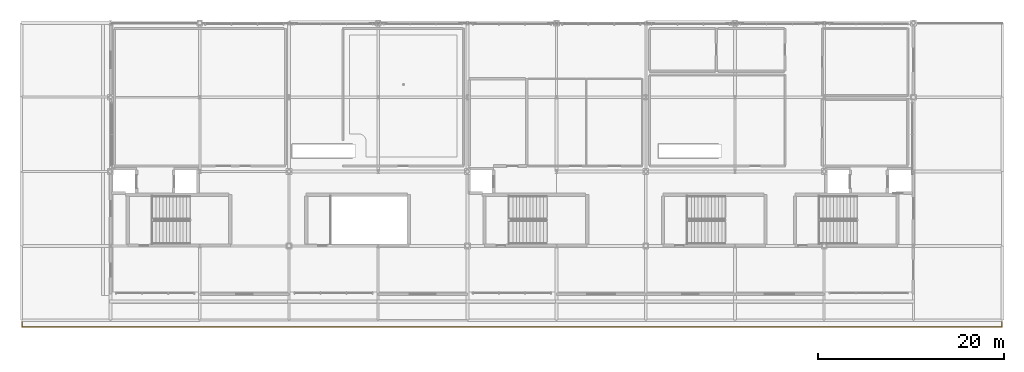
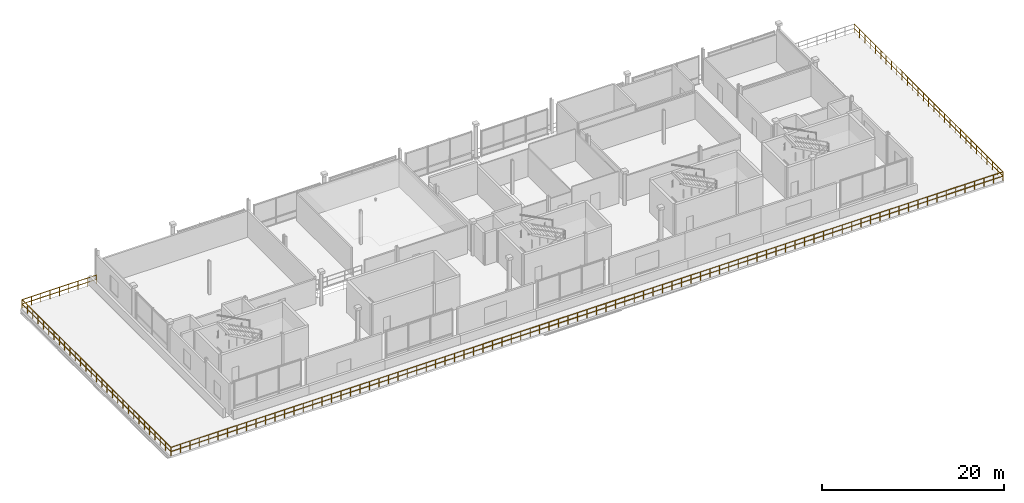
# One storey, part 23 of 26: 1 railing.
"""IFC4 building model written with IfcOpenShell, lengths in metres."""

from ifc_helpers import new_model, si_unit, direction, frame, origin, origin_2d, place, context, subcontext, project, spatial, circle, extrude, material, type_object, element, save


model = new_model("IFC4")

# Units and contexts
model_context = context("Model", 3, precision=1e-05, world=origin(), true_north=direction((0.0, 1.0)))
body_context = subcontext(model_context, "Body", "Model", "MODEL_VIEW")
ifc_project = project(units=[si_unit("LENGTHUNIT", "METRE"), si_unit("AREAUNIT", "SQUARE_METRE"), si_unit("VOLUMEUNIT", "CUBIC_METRE"), si_unit("PLANEANGLEUNIT", "RADIAN"), si_unit("MASSUNIT", "GRAM", prefix="KILO")], contexts=[model_context])

# Site, building, storey
site_placement = place(None, origin())
site = spatial("IfcSite", under=ifc_project, at=site_placement, CompositionType="ELEMENT")
building_placement = place(site_placement, origin())
building = spatial("IfcBuilding", under=site, at=building_placement, Name="Danafjord Basin Convention Centre", CompositionType="ELEMENT")
storey_placement = place(building_placement, frame((0.0, 0.0, 24.89990234375)))
storey = spatial("IfcBuildingStorey", under=building, at=storey_placement, Name="L05", CompositionType="ELEMENT", Elevation=24.89990234375)

# Railing
ifc_material = material(Name="Laminated structural glass and stainless steel", Category="steel")
railing_type = type_object("IfcRailingType", Name="RL-BAL-GLS", PredefinedType="BALUSTRADE", material=ifc_material)
railing_placement = place(storey_placement, frame((105.52001953125, 39.919921875, 0.0)))
element("IfcRailing", 1, at=railing_placement, inside=storey, type_object=railing_type, Name="L05 safety guard balustrade 308", PredefinedType="BALUSTRADE", context=body_context, shape_type="SweptSolid", body=[
    extrude(circle(Radius=0.02392578125, at=origin_2d()), frame((0.0, 0.0, 1.1259765625), z_axis=(0.0, -1.0, 0.0), x_axis=(1.0, 0.0, 0.0)), (0.0, 0.0, 1.0), 32.639892578125),
    extrude(circle(Radius=0.02392578125, at=origin_2d()), frame((0.0, 0.0, 0.55078125), z_axis=(0.0, -1.0, 0.0), x_axis=(1.0, 0.0, 0.0)), (0.0, 0.0, 1.0), 32.639892578125),
    extrude(circle(Radius=0.02392578125, at=origin_2d()), frame((0.0, -32.639892578125, 1.1259765625), z_axis=(-1.0, 0.0, 0.0), x_axis=(0.0, -1.0, 0.0)), (0.0, 0.0, 1.0), 105.43994140625),
    extrude(circle(Radius=0.02392578125, at=origin_2d()), frame((0.0, -32.639892578125, 0.55078125), z_axis=(-1.0, 0.0, 0.0), x_axis=(0.0, -1.0, 0.0)), (0.0, 0.0, 1.0), 105.43994140625),
    extrude(circle(Radius=0.02392578125, at=origin_2d()), frame((-105.43994140625, -32.639892578125, 1.1259765625), z_axis=(0.0, 1.0, 0.0), x_axis=(-1.0, 0.0, 0.0)), (0.0, 0.0, 1.0), 32.639892578125),
    extrude(circle(Radius=0.02392578125, at=origin_2d()), frame((-105.43994140625, -32.639892578125, 0.55078125), z_axis=(0.0, 1.0, 0.0), x_axis=(-1.0, 0.0, 0.0)), (0.0, 0.0, 1.0), 32.639892578125),
    extrude(circle(Radius=0.02392578125, at=origin_2d()), frame((-105.43994140625, 0.0, 1.1259765625), z_axis=(1.0, 0.0, 0.0), x_axis=(0.0, 1.0, 0.0)), (0.0, 0.0, 1.0), 9.429931640625),
    extrude(circle(Radius=0.02392578125, at=origin_2d()), frame((-105.43994140625, 0.0, 0.55078125), z_axis=(1.0, 0.0, 0.0), x_axis=(0.0, 1.0, 0.0)), (0.0, 0.0, 1.0), 9.429931640625),
    extrude(circle(Radius=0.02099609375, at=origin_2d()), origin(), (0.0, 0.0, 1.0), 1.099853515625),
    extrude(circle(Radius=0.02099609375, at=origin_2d()), frame((0.0, -1.165771484375, 0.0)), (0.0, 0.0, 1.0), 1.099853515625),
    extrude(circle(Radius=0.02099609375, at=origin_2d()), frame((0.0, -2.33154296875, 0.0)), (0.0, 0.0, 1.0), 1.099853515625),
    extrude(circle(Radius=0.02099609375, at=origin_2d()), frame((0.0, -3.4970703125, 0.0)), (0.0, 0.0, 1.0), 1.099853515625),
    extrude(circle(Radius=0.02099609375, at=origin_2d()), frame((0.0, -4.662841796875, 0.0)), (0.0, 0.0, 1.0), 1.099853515625),
    extrude(circle(Radius=0.02099609375, at=origin_2d()), frame((0.0, -5.82861328125, 0.0)), (0.0, 0.0, 1.0), 1.099853515625),
    extrude(circle(Radius=0.02099609375, at=origin_2d()), frame((0.0, -6.994140625, 0.0)), (0.0, 0.0, 1.0), 1.099853515625),
    extrude(circle(Radius=0.02099609375, at=origin_2d()), frame((0.0, -8.159912109375, 0.0)), (0.0, 0.0, 1.0), 1.099853515625),
    extrude(circle(Radius=0.02099609375, at=origin_2d()), frame((0.0, -9.32568359375, 0.0)), (0.0, 0.0, 1.0), 1.099853515625),
    extrude(circle(Radius=0.02099609375, at=origin_2d()), frame((0.0, -10.491455078125, 0.0)), (0.0, 0.0, 1.0), 1.099853515625),
    extrude(circle(Radius=0.02099609375, at=origin_2d()), frame((0.0, -11.6572265625, 0.0)), (0.0, 0.0, 1.0), 1.099853515625),
    extrude(circle(Radius=0.02099609375, at=origin_2d()), frame((0.0, -12.82275390625, 0.0)), (0.0, 0.0, 1.0), 1.099853515625),
    extrude(circle(Radius=0.02099609375, at=origin_2d()), frame((0.0, -13.988525390625, 0.0)), (0.0, 0.0, 1.0), 1.099853515625),
    extrude(circle(Radius=0.02099609375, at=origin_2d()), frame((0.0, -15.154296875, 0.0)), (0.0, 0.0, 1.0), 1.099853515625),
    extrude(circle(Radius=0.02099609375, at=origin_2d()), frame((0.0, -16.31982421875, 0.0)), (0.0, 0.0, 1.0), 1.099853515625),
    extrude(circle(Radius=0.02099609375, at=origin_2d()), frame((0.0, -17.485595703125, 0.0)), (0.0, 0.0, 1.0), 1.099853515625),
    extrude(circle(Radius=0.02099609375, at=origin_2d()), frame((0.0, -18.6513671875, 0.0)), (0.0, 0.0, 1.0), 1.099853515625),
    extrude(circle(Radius=0.02099609375, at=origin_2d()), frame((0.0, -19.817138671875, 0.0)), (0.0, 0.0, 1.0), 1.099853515625),
    extrude(circle(Radius=0.02099609375, at=origin_2d()), frame((0.0, -20.98291015625, 0.0)), (0.0, 0.0, 1.0), 1.099853515625),
    extrude(circle(Radius=0.02099609375, at=origin_2d()), frame((0.0, -22.1484375, 0.0)), (0.0, 0.0, 1.0), 1.099853515625),
    extrude(circle(Radius=0.02099609375, at=origin_2d()), frame((0.0, -23.314208984375, 0.0)), (0.0, 0.0, 1.0), 1.099853515625),
    extrude(circle(Radius=0.02099609375, at=origin_2d()), frame((0.0, -24.47998046875, 0.0)), (0.0, 0.0, 1.0), 1.099853515625),
    extrude(circle(Radius=0.02099609375, at=origin_2d()), frame((0.0, -25.6455078125, 0.0)), (0.0, 0.0, 1.0), 1.099853515625),
    extrude(circle(Radius=0.02099609375, at=origin_2d()), frame((0.0, -26.811279296875, 0.0)), (0.0, 0.0, 1.0), 1.099853515625),
    extrude(circle(Radius=0.02099609375, at=origin_2d()), frame((0.0, -27.97705078125, 0.0)), (0.0, 0.0, 1.0), 1.099853515625),
    extrude(circle(Radius=0.02099609375, at=origin_2d()), frame((0.0, -29.142822265625, 0.0)), (0.0, 0.0, 1.0), 1.099853515625),
    extrude(circle(Radius=0.02099609375, at=origin_2d()), frame((0.0, -30.30859375, 0.0)), (0.0, 0.0, 1.0), 1.099853515625),
    extrude(circle(Radius=0.02099609375, at=origin_2d()), frame((0.0, -31.47412109375, 0.0)), (0.0, 0.0, 1.0), 1.099853515625),
    extrude(circle(Radius=0.02099609375, at=origin_2d()), frame((0.0, -32.639892578125, 0.0)), (0.0, 0.0, 1.0), 1.099853515625),
    extrude(circle(Radius=0.02099609375, at=origin_2d()), frame((-1.1982421875, -32.639892578125, 0.0)), (0.0, 0.0, 1.0), 1.099853515625),
    extrude(circle(Radius=0.02099609375, at=origin_2d()), frame((-2.396484375, -32.639892578125, 0.0)), (0.0, 0.0, 1.0), 1.099853515625),
    extrude(circle(Radius=0.02099609375, at=origin_2d()), frame((-3.594482421875, -32.639892578125, 0.0)), (0.0, 0.0, 1.0), 1.099853515625),
    extrude(circle(Radius=0.02099609375, at=origin_2d()), frame((-4.792724609375, -32.639892578125, 0.0)), (0.0, 0.0, 1.0), 1.099853515625),
    extrude(circle(Radius=0.02099609375, at=origin_2d()), frame((-5.990966796875, -32.639892578125, 0.0)), (0.0, 0.0, 1.0), 1.099853515625),
    extrude(circle(Radius=0.02099609375, at=origin_2d()), frame((-7.18896484375, -32.639892578125, 0.0)), (0.0, 0.0, 1.0), 1.099853515625),
    extrude(circle(Radius=0.02099609375, at=origin_2d()), frame((-8.38720703125, -32.639892578125, 0.0)), (0.0, 0.0, 1.0), 1.099853515625),
    extrude(circle(Radius=0.02099609375, at=origin_2d()), frame((-9.58544921875, -32.639892578125, 0.0)), (0.0, 0.0, 1.0), 1.099853515625),
    extrude(circle(Radius=0.02099609375, at=origin_2d()), frame((-10.78369140625, -32.639892578125, 0.0)), (0.0, 0.0, 1.0), 1.099853515625),
    extrude(circle(Radius=0.02099609375, at=origin_2d()), frame((-11.98193359375, -32.639892578125, 0.0)), (0.0, 0.0, 1.0), 1.099853515625),
    extrude(circle(Radius=0.02099609375, at=origin_2d()), frame((-13.179931640625, -32.639892578125, 0.0)), (0.0, 0.0, 1.0), 1.099853515625),
    extrude(circle(Radius=0.02099609375, at=origin_2d()), frame((-14.378173828125, -32.639892578125, 0.0)), (0.0, 0.0, 1.0), 1.099853515625),
    extrude(circle(Radius=0.02099609375, at=origin_2d()), frame((-15.576416015625, -32.639892578125, 0.0)), (0.0, 0.0, 1.0), 1.099853515625),
    extrude(circle(Radius=0.02099609375, at=origin_2d()), frame((-16.7744140625, -32.639892578125, 0.0)), (0.0, 0.0, 1.0), 1.099853515625),
    extrude(circle(Radius=0.02099609375, at=origin_2d()), frame((-17.97265625, -32.639892578125, 0.0)), (0.0, 0.0, 1.0), 1.099853515625),
    extrude(circle(Radius=0.02099609375, at=origin_2d()), frame((-19.1708984375, -32.639892578125, 0.0)), (0.0, 0.0, 1.0), 1.099853515625),
    extrude(circle(Radius=0.02099609375, at=origin_2d()), frame((-20.369140625, -32.639892578125, 0.0)), (0.0, 0.0, 1.0), 1.099853515625),
    extrude(circle(Radius=0.02099609375, at=origin_2d()), frame((-21.5673828125, -32.639892578125, 0.0)), (0.0, 0.0, 1.0), 1.099853515625),
    extrude(circle(Radius=0.02099609375, at=origin_2d()), frame((-22.765380859375, -32.639892578125, 0.0)), (0.0, 0.0, 1.0), 1.099853515625),
    extrude(circle(Radius=0.02099609375, at=origin_2d()), frame((-23.963623046875, -32.639892578125, 0.0)), (0.0, 0.0, 1.0), 1.099853515625),
    extrude(circle(Radius=0.02099609375, at=origin_2d()), frame((-25.161865234375, -32.639892578125, 0.0)), (0.0, 0.0, 1.0), 1.099853515625),
    extrude(circle(Radius=0.02099609375, at=origin_2d()), frame((-26.35986328125, -32.639892578125, 0.0)), (0.0, 0.0, 1.0), 1.099853515625),
    extrude(circle(Radius=0.02099609375, at=origin_2d()), frame((-27.55810546875, -32.639892578125, 0.0)), (0.0, 0.0, 1.0), 1.099853515625),
    extrude(circle(Radius=0.02099609375, at=origin_2d()), frame((-28.75634765625, -32.639892578125, 0.0)), (0.0, 0.0, 1.0), 1.099853515625),
    extrude(circle(Radius=0.02099609375, at=origin_2d()), frame((-29.95458984375, -32.639892578125, 0.0)), (0.0, 0.0, 1.0), 1.099853515625),
    extrude(circle(Radius=0.02099609375, at=origin_2d()), frame((-31.15283203125, -32.639892578125, 0.0)), (0.0, 0.0, 1.0), 1.099853515625),
    extrude(circle(Radius=0.02099609375, at=origin_2d()), frame((-32.350830078125, -32.639892578125, 0.0)), (0.0, 0.0, 1.0), 1.099853515625),
    extrude(circle(Radius=0.02099609375, at=origin_2d()), frame((-33.549072265625, -32.639892578125, 0.0)), (0.0, 0.0, 1.0), 1.099853515625),
    extrude(circle(Radius=0.02099609375, at=origin_2d()), frame((-34.747314453125, -32.639892578125, 0.0)), (0.0, 0.0, 1.0), 1.099853515625),
    extrude(circle(Radius=0.02099609375, at=origin_2d()), frame((-35.9453125, -32.639892578125, 0.0)), (0.0, 0.0, 1.0), 1.099853515625),
    extrude(circle(Radius=0.02099609375, at=origin_2d()), frame((-37.1435546875, -32.639892578125, 0.0)), (0.0, 0.0, 1.0), 1.099853515625),
    extrude(circle(Radius=0.02099609375, at=origin_2d()), frame((-38.341796875, -32.639892578125, 0.0)), (0.0, 0.0, 1.0), 1.099853515625),
    extrude(circle(Radius=0.02099609375, at=origin_2d()), frame((-39.5400390625, -32.639892578125, 0.0)), (0.0, 0.0, 1.0), 1.099853515625),
    extrude(circle(Radius=0.02099609375, at=origin_2d()), frame((-40.73828125, -32.639892578125, 0.0)), (0.0, 0.0, 1.0), 1.099853515625),
    extrude(circle(Radius=0.02099609375, at=origin_2d()), frame((-41.936279296875, -32.639892578125, 0.0)), (0.0, 0.0, 1.0), 1.099853515625),
    extrude(circle(Radius=0.02099609375, at=origin_2d()), frame((-43.134521484375, -32.639892578125, 0.0)), (0.0, 0.0, 1.0), 1.099853515625),
    extrude(circle(Radius=0.02099609375, at=origin_2d()), frame((-44.332763671875, -32.639892578125, 0.0)), (0.0, 0.0, 1.0), 1.099853515625),
    extrude(circle(Radius=0.02099609375, at=origin_2d()), frame((-45.53076171875, -32.639892578125, 0.0)), (0.0, 0.0, 1.0), 1.099853515625),
    extrude(circle(Radius=0.02099609375, at=origin_2d()), frame((-46.72900390625, -32.639892578125, 0.0)), (0.0, 0.0, 1.0), 1.099853515625),
    extrude(circle(Radius=0.02099609375, at=origin_2d()), frame((-47.92724609375, -32.639892578125, 0.0)), (0.0, 0.0, 1.0), 1.099853515625),
    extrude(circle(Radius=0.02099609375, at=origin_2d()), frame((-49.12548828125, -32.639892578125, 0.0)), (0.0, 0.0, 1.0), 1.099853515625),
    extrude(circle(Radius=0.02099609375, at=origin_2d()), frame((-50.32373046875, -32.639892578125, 0.0)), (0.0, 0.0, 1.0), 1.099853515625),
    extrude(circle(Radius=0.02099609375, at=origin_2d()), frame((-51.521728515625, -32.639892578125, 0.0)), (0.0, 0.0, 1.0), 1.099853515625),
    extrude(circle(Radius=0.02099609375, at=origin_2d()), frame((-52.719970703125, -32.639892578125, 0.0)), (0.0, 0.0, 1.0), 1.099853515625),
    extrude(circle(Radius=0.02099609375, at=origin_2d()), frame((-53.918212890625, -32.639892578125, 0.0)), (0.0, 0.0, 1.0), 1.099853515625),
    extrude(circle(Radius=0.02099609375, at=origin_2d()), frame((-55.1162109375, -32.639892578125, 0.0)), (0.0, 0.0, 1.0), 1.099853515625),
    extrude(circle(Radius=0.02099609375, at=origin_2d()), frame((-56.314453125, -32.639892578125, 0.0)), (0.0, 0.0, 1.0), 1.099853515625),
    extrude(circle(Radius=0.02099609375, at=origin_2d()), frame((-57.5126953125, -32.639892578125, 0.0)), (0.0, 0.0, 1.0), 1.099853515625),
    extrude(circle(Radius=0.02099609375, at=origin_2d()), frame((-58.7109375, -32.639892578125, 0.0)), (0.0, 0.0, 1.0), 1.099853515625),
    extrude(circle(Radius=0.02099609375, at=origin_2d()), frame((-59.9091796875, -32.639892578125, 0.0)), (0.0, 0.0, 1.0), 1.099853515625),
    extrude(circle(Radius=0.02099609375, at=origin_2d()), frame((-61.107177734375, -32.639892578125, 0.0)), (0.0, 0.0, 1.0), 1.099853515625),
    extrude(circle(Radius=0.02099609375, at=origin_2d()), frame((-62.305419921875, -32.639892578125, 0.0)), (0.0, 0.0, 1.0), 1.099853515625),
    extrude(circle(Radius=0.02099609375, at=origin_2d()), frame((-63.503662109375, -32.639892578125, 0.0)), (0.0, 0.0, 1.0), 1.099853515625),
    extrude(circle(Radius=0.02099609375, at=origin_2d()), frame((-64.70166015625, -32.639892578125, 0.0)), (0.0, 0.0, 1.0), 1.099853515625),
    extrude(circle(Radius=0.02099609375, at=origin_2d()), frame((-65.89990234375, -32.639892578125, 0.0)), (0.0, 0.0, 1.0), 1.099853515625),
    extrude(circle(Radius=0.02099609375, at=origin_2d()), frame((-67.09814453125, -32.639892578125, 0.0)), (0.0, 0.0, 1.0), 1.099853515625),
    extrude(circle(Radius=0.02099609375, at=origin_2d()), frame((-68.29638671875, -32.639892578125, 0.0)), (0.0, 0.0, 1.0), 1.099853515625),
    extrude(circle(Radius=0.02099609375, at=origin_2d()), frame((-69.49462890625, -32.639892578125, 0.0)), (0.0, 0.0, 1.0), 1.099853515625),
    extrude(circle(Radius=0.02099609375, at=origin_2d()), frame((-70.692626953125, -32.639892578125, 0.0)), (0.0, 0.0, 1.0), 1.099853515625),
    extrude(circle(Radius=0.02099609375, at=origin_2d()), frame((-71.890869140625, -32.639892578125, 0.0)), (0.0, 0.0, 1.0), 1.099853515625),
    extrude(circle(Radius=0.02099609375, at=origin_2d()), frame((-73.089111328125, -32.639892578125, 0.0)), (0.0, 0.0, 1.0), 1.099853515625),
    extrude(circle(Radius=0.02099609375, at=origin_2d()), frame((-74.287109375, -32.639892578125, 0.0)), (0.0, 0.0, 1.0), 1.099853515625),
    extrude(circle(Radius=0.02099609375, at=origin_2d()), frame((-75.4853515625, -32.639892578125, 0.0)), (0.0, 0.0, 1.0), 1.099853515625),
    extrude(circle(Radius=0.02099609375, at=origin_2d()), frame((-76.68359375, -32.639892578125, 0.0)), (0.0, 0.0, 1.0), 1.099853515625),
    extrude(circle(Radius=0.02099609375, at=origin_2d()), frame((-77.8818359375, -32.639892578125, 0.0)), (0.0, 0.0, 1.0), 1.099853515625),
    extrude(circle(Radius=0.02099609375, at=origin_2d()), frame((-79.080078125, -32.639892578125, 0.0)), (0.0, 0.0, 1.0), 1.099853515625),
    extrude(circle(Radius=0.02099609375, at=origin_2d()), frame((-80.278076171875, -32.639892578125, 0.0)), (0.0, 0.0, 1.0), 1.099853515625),
    extrude(circle(Radius=0.02099609375, at=origin_2d()), frame((-81.476318359375, -32.639892578125, 0.0)), (0.0, 0.0, 1.0), 1.099853515625),
    extrude(circle(Radius=0.02099609375, at=origin_2d()), frame((-82.674560546875, -32.639892578125, 0.0)), (0.0, 0.0, 1.0), 1.099853515625),
    extrude(circle(Radius=0.02099609375, at=origin_2d()), frame((-83.87255859375, -32.639892578125, 0.0)), (0.0, 0.0, 1.0), 1.099853515625),
    extrude(circle(Radius=0.02099609375, at=origin_2d()), frame((-85.07080078125, -32.639892578125, 0.0)), (0.0, 0.0, 1.0), 1.099853515625),
    extrude(circle(Radius=0.02099609375, at=origin_2d()), frame((-86.26904296875, -32.639892578125, 0.0)), (0.0, 0.0, 1.0), 1.099853515625),
    extrude(circle(Radius=0.02099609375, at=origin_2d()), frame((-87.46728515625, -32.639892578125, 0.0)), (0.0, 0.0, 1.0), 1.099853515625),
    extrude(circle(Radius=0.02099609375, at=origin_2d()), frame((-88.66552734375, -32.639892578125, 0.0)), (0.0, 0.0, 1.0), 1.099853515625),
    extrude(circle(Radius=0.02099609375, at=origin_2d()), frame((-89.863525390625, -32.639892578125, 0.0)), (0.0, 0.0, 1.0), 1.099853515625),
    extrude(circle(Radius=0.02099609375, at=origin_2d()), frame((-91.061767578125, -32.639892578125, 0.0)), (0.0, 0.0, 1.0), 1.099853515625),
    extrude(circle(Radius=0.02099609375, at=origin_2d()), frame((-92.260009765625, -32.639892578125, 0.0)), (0.0, 0.0, 1.0), 1.099853515625),
    extrude(circle(Radius=0.02099609375, at=origin_2d()), frame((-93.4580078125, -32.639892578125, 0.0)), (0.0, 0.0, 1.0), 1.099853515625),
    extrude(circle(Radius=0.02099609375, at=origin_2d()), frame((-94.65625, -32.639892578125, 0.0)), (0.0, 0.0, 1.0), 1.099853515625),
    extrude(circle(Radius=0.02099609375, at=origin_2d()), frame((-95.8544921875, -32.639892578125, 0.0)), (0.0, 0.0, 1.0), 1.099853515625),
    extrude(circle(Radius=0.02099609375, at=origin_2d()), frame((-97.052734375, -32.639892578125, 0.0)), (0.0, 0.0, 1.0), 1.099853515625),
    extrude(circle(Radius=0.02099609375, at=origin_2d()), frame((-98.2509765625, -32.639892578125, 0.0)), (0.0, 0.0, 1.0), 1.099853515625),
    extrude(circle(Radius=0.02099609375, at=origin_2d()), frame((-99.448974609375, -32.639892578125, 0.0)), (0.0, 0.0, 1.0), 1.099853515625),
    extrude(circle(Radius=0.02099609375, at=origin_2d()), frame((-100.647216796875, -32.639892578125, 0.0)), (0.0, 0.0, 1.0), 1.099853515625),
    extrude(circle(Radius=0.02099609375, at=origin_2d()), frame((-101.845458984375, -32.639892578125, 0.0)), (0.0, 0.0, 1.0), 1.099853515625),
    extrude(circle(Radius=0.02099609375, at=origin_2d()), frame((-103.04345703125, -32.639892578125, 0.0)), (0.0, 0.0, 1.0), 1.099853515625),
    extrude(circle(Radius=0.02099609375, at=origin_2d()), frame((-104.24169921875, -32.639892578125, 0.0)), (0.0, 0.0, 1.0), 1.099853515625),
    extrude(circle(Radius=0.02099609375, at=origin_2d()), frame((-105.43994140625, -32.639892578125, 0.0)), (0.0, 0.0, 1.0), 1.099853515625),
    extrude(circle(Radius=0.02099609375, at=origin_2d()), frame((-105.43994140625, -31.47412109375, 0.0)), (0.0, 0.0, 1.0), 1.099853515625),
    extrude(circle(Radius=0.02099609375, at=origin_2d()), frame((-105.43994140625, -30.30859375, 0.0)), (0.0, 0.0, 1.0), 1.099853515625),
    extrude(circle(Radius=0.02099609375, at=origin_2d()), frame((-105.43994140625, -29.142822265625, 0.0)), (0.0, 0.0, 1.0), 1.099853515625),
    extrude(circle(Radius=0.02099609375, at=origin_2d()), frame((-105.43994140625, -27.97705078125, 0.0)), (0.0, 0.0, 1.0), 1.099853515625),
    extrude(circle(Radius=0.02099609375, at=origin_2d()), frame((-105.43994140625, -26.811279296875, 0.0)), (0.0, 0.0, 1.0), 1.099853515625),
    extrude(circle(Radius=0.02099609375, at=origin_2d()), frame((-105.43994140625, -25.6455078125, 0.0)), (0.0, 0.0, 1.0), 1.099853515625),
    extrude(circle(Radius=0.02099609375, at=origin_2d()), frame((-105.43994140625, -24.47998046875, 0.0)), (0.0, 0.0, 1.0), 1.099853515625),
    extrude(circle(Radius=0.02099609375, at=origin_2d()), frame((-105.43994140625, -23.314208984375, 0.0)), (0.0, 0.0, 1.0), 1.099853515625),
    extrude(circle(Radius=0.02099609375, at=origin_2d()), frame((-105.43994140625, -22.1484375, 0.0)), (0.0, 0.0, 1.0), 1.099853515625),
    extrude(circle(Radius=0.02099609375, at=origin_2d()), frame((-105.43994140625, -20.98291015625, 0.0)), (0.0, 0.0, 1.0), 1.099853515625),
    extrude(circle(Radius=0.02099609375, at=origin_2d()), frame((-105.43994140625, -19.817138671875, 0.0)), (0.0, 0.0, 1.0), 1.099853515625),
    extrude(circle(Radius=0.02099609375, at=origin_2d()), frame((-105.43994140625, -18.6513671875, 0.0)), (0.0, 0.0, 1.0), 1.099853515625),
    extrude(circle(Radius=0.02099609375, at=origin_2d()), frame((-105.43994140625, -17.485595703125, 0.0)), (0.0, 0.0, 1.0), 1.099853515625),
    extrude(circle(Radius=0.02099609375, at=origin_2d()), frame((-105.43994140625, -16.31982421875, 0.0)), (0.0, 0.0, 1.0), 1.099853515625),
    extrude(circle(Radius=0.02099609375, at=origin_2d()), frame((-105.43994140625, -15.154296875, 0.0)), (0.0, 0.0, 1.0), 1.099853515625),
    extrude(circle(Radius=0.02099609375, at=origin_2d()), frame((-105.43994140625, -13.988525390625, 0.0)), (0.0, 0.0, 1.0), 1.099853515625),
    extrude(circle(Radius=0.02099609375, at=origin_2d()), frame((-105.43994140625, -12.82275390625, 0.0)), (0.0, 0.0, 1.0), 1.099853515625),
    extrude(circle(Radius=0.02099609375, at=origin_2d()), frame((-105.43994140625, -11.6572265625, 0.0)), (0.0, 0.0, 1.0), 1.099853515625),
    extrude(circle(Radius=0.02099609375, at=origin_2d()), frame((-105.43994140625, -10.491455078125, 0.0)), (0.0, 0.0, 1.0), 1.099853515625),
    extrude(circle(Radius=0.02099609375, at=origin_2d()), frame((-105.43994140625, -9.32568359375, 0.0)), (0.0, 0.0, 1.0), 1.099853515625),
    extrude(circle(Radius=0.02099609375, at=origin_2d()), frame((-105.43994140625, -8.159912109375, 0.0)), (0.0, 0.0, 1.0), 1.099853515625),
    extrude(circle(Radius=0.02099609375, at=origin_2d()), frame((-105.43994140625, -6.994140625, 0.0)), (0.0, 0.0, 1.0), 1.099853515625),
    extrude(circle(Radius=0.02099609375, at=origin_2d()), frame((-105.43994140625, -5.82861328125, 0.0)), (0.0, 0.0, 1.0), 1.099853515625),
    extrude(circle(Radius=0.02099609375, at=origin_2d()), frame((-105.43994140625, -4.662841796875, 0.0)), (0.0, 0.0, 1.0), 1.099853515625),
    extrude(circle(Radius=0.02099609375, at=origin_2d()), frame((-105.43994140625, -3.4970703125, 0.0)), (0.0, 0.0, 1.0), 1.099853515625),
    extrude(circle(Radius=0.02099609375, at=origin_2d()), frame((-105.43994140625, -2.33154296875, 0.0)), (0.0, 0.0, 1.0), 1.099853515625),
    extrude(circle(Radius=0.02099609375, at=origin_2d()), frame((-105.43994140625, -1.165771484375, 0.0)), (0.0, 0.0, 1.0), 1.099853515625),
    extrude(circle(Radius=0.02099609375, at=origin_2d()), frame((-105.43994140625, 0.0, 0.0)), (0.0, 0.0, 1.0), 1.099853515625),
    extrude(circle(Radius=0.02099609375, at=origin_2d()), frame((-104.26123046875, 0.0, 0.0)), (0.0, 0.0, 1.0), 1.099853515625),
    extrude(circle(Radius=0.02099609375, at=origin_2d()), frame((-103.08251953125, 0.0, 0.0)), (0.0, 0.0, 1.0), 1.099853515625),
    extrude(circle(Radius=0.02099609375, at=origin_2d()), frame((-101.90380859375, 0.0, 0.0)), (0.0, 0.0, 1.0), 1.099853515625),
    extrude(circle(Radius=0.02099609375, at=origin_2d()), frame((-100.72509765625, 0.0, 0.0)), (0.0, 0.0, 1.0), 1.099853515625),
    extrude(circle(Radius=0.02099609375, at=origin_2d()), frame((-99.546142578125, 0.0, 0.0)), (0.0, 0.0, 1.0), 1.099853515625),
    extrude(circle(Radius=0.02099609375, at=origin_2d()), frame((-98.367431640625, 0.0, 0.0)), (0.0, 0.0, 1.0), 1.099853515625),
    extrude(circle(Radius=0.02099609375, at=origin_2d()), frame((-97.188720703125, 0.0, 0.0)), (0.0, 0.0, 1.0), 1.099853515625),
    extrude(circle(Radius=0.02099609375, at=origin_2d()), frame((-96.010009765625, 0.0, 0.0)), (0.0, 0.0, 1.0), 1.099853515625),
])

save(model, "model.ifc")
